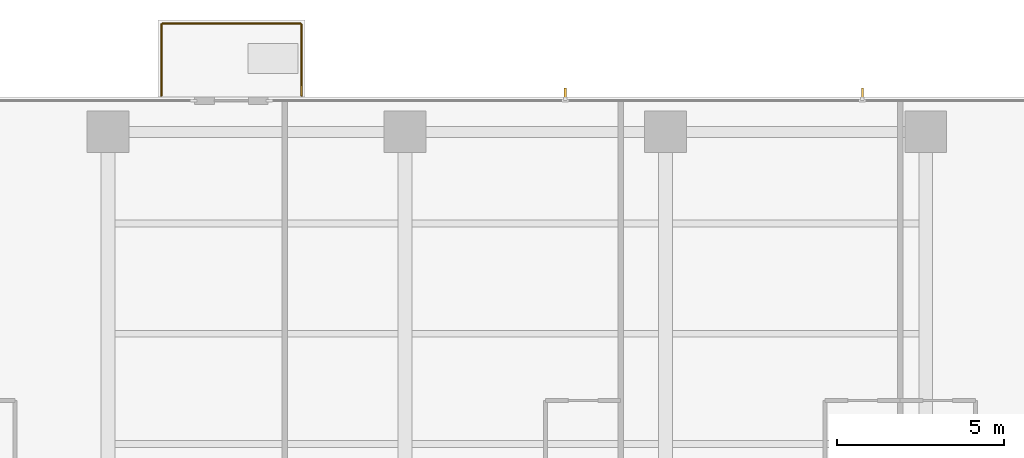
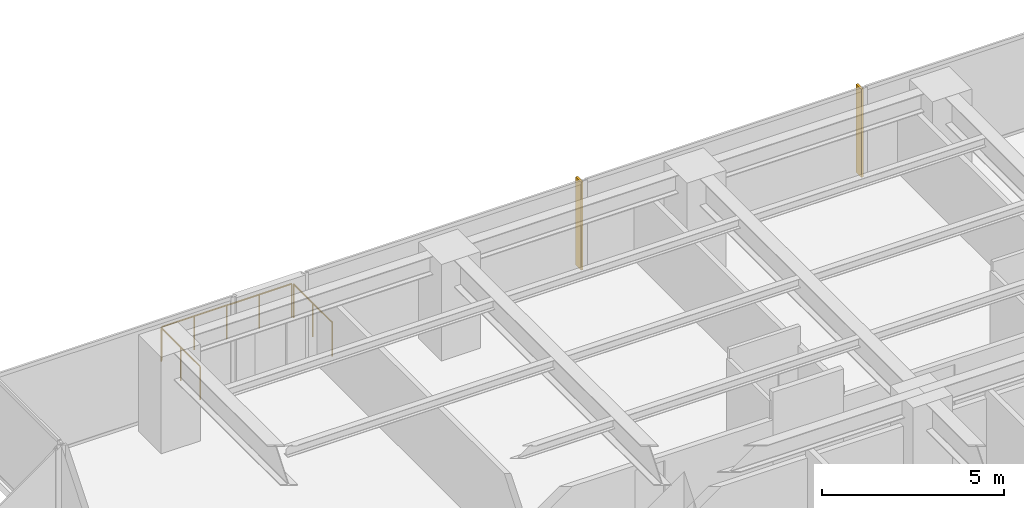
# One storey, part 18 of 18: 3 railings, 2 shading devices.
"""IFC4 building model written with IfcOpenShell, lengths in metres."""

from ifc_helpers import new_model, si_unit, direction, frame, origin, origin_2d, place, context, subcontext, project, spatial, polyline, circle, outline, extrude, material, layer, layer_set, type_object, element, save


model = new_model("IFC4")

# Units and contexts
model_context = context("Model", 3, precision=1e-05, world=origin(), true_north=direction((0.0, 1.0)))
body_context = subcontext(model_context, "Body", "Model", "MODEL_VIEW")
ifc_project = project(units=[si_unit("LENGTHUNIT", "METRE"), si_unit("AREAUNIT", "SQUARE_METRE"), si_unit("VOLUMEUNIT", "CUBIC_METRE"), si_unit("PLANEANGLEUNIT", "RADIAN"), si_unit("MASSUNIT", "GRAM", prefix="KILO")], contexts=[model_context])

# Site, building, storey
site_placement = place(None, origin())
site = spatial("IfcSite", under=ifc_project, at=site_placement, CompositionType="ELEMENT")
building_placement = place(site_placement, origin())
building = spatial("IfcBuilding", under=site, at=building_placement, Name="Qalmaran Belvedere Hotel", CompositionType="ELEMENT")
storey_placement = place(building_placement, frame((0.0, 0.0, 95.199951171875)))
storey = spatial("IfcBuildingStorey", under=building, at=storey_placement, Name="L23", CompositionType="ELEMENT", Elevation=95.199951171875)

# Shading devices
ifc_material = material(Name="Anodised Bronze Aluminium", Category="aluminium")
ifc_layer = layer(ifc_material, 0.06494140625, Name="Anodised Bronze Aluminium")
ifc_layer_set = layer_set([ifc_layer], Name="Anodised Bronze Aluminium")
shading_device_type = type_object("IfcShadingDeviceType", Name="FIN-BRNZ-300", PredefinedType="USERDEFINED", material=ifc_layer_set)
shading_device_1_placement = place(storey_placement, frame((0.0, 0.0, 0.16015625)))
element("IfcShadingDevice", 1, at=shading_device_1_placement, inside=storey, type_object=shading_device_type, Name="L23 Bronze Fin 1", ObjectType="FIN", PredefinedType="USERDEFINED", context=body_context, shape_type="SweptSolid", body=[
    extrude(outline(polyline([(42.9326171875, 46.469970703125), (42.9326171875, 46.77001953125), (42.867431640625, 46.77001953125), (42.867431640625, 46.469970703125), (42.9326171875, 46.469970703125)])), origin(), (0.0, 0.0, 1.0), 2.9599609375),
])
shading_device_2_placement = place(storey_placement, frame((0.0, 0.0, 0.16015625)))
element("IfcShadingDevice", 2, at=shading_device_2_placement, inside=storey, type_object=shading_device_type, Name="L23 Bronze Fin 2", ObjectType="FIN", PredefinedType="USERDEFINED", context=body_context, shape_type="SweptSolid", body=[
    extrude(outline(polyline([(34.032470703125, 46.469970703125), (34.032470703125, 46.77001953125), (33.967529296875, 46.77001953125), (33.967529296875, 46.469970703125), (34.032470703125, 46.469970703125)])), origin(), (0.0, 0.0, 1.0), 2.9599609375),
])

# Railings
railing_type = type_object("IfcRailingType", Name="GRD-BAL-1150", PredefinedType="BALUSTRADE", material=ifc_material)
railing_1_placement = place(storey_placement, frame((21.89990234375, 46.534912109375, 0.0)))
element("IfcRailing", 3, at=railing_1_placement, inside=storey, type_object=railing_type, Name="L23 Guardrail BAL-L23-N-1", PredefinedType="BALUSTRADE", context=body_context, shape_type="SweptSolid", body=[
    extrude(circle(Radius=0.02392578125, at=origin_2d()), frame((0.0, 0.0, 1.1259765625), z_axis=(0.0, 1.0, 0.0), x_axis=(-1.0, 0.0, 0.0)), (0.0, 0.0, 1.0), 2.130126953125),
    extrude(circle(Radius=0.02099609375, at=origin_2d()), origin(), (0.0, 0.0, 1.0), 1.101806640625),
    extrude(circle(Radius=0.02099609375, at=origin_2d()), frame((0.0, 1.06494140625, 0.0)), (0.0, 0.0, 1.0), 1.101806640625),
    extrude(circle(Radius=0.02099609375, at=origin_2d()), frame((0.0, 2.130126953125, 0.0)), (0.0, 0.0, 1.0), 1.101806640625),
])
railing_2_placement = place(storey_placement, frame((21.93505859375, 48.699951171875, 0.0)))
element("IfcRailing", 4, at=railing_2_placement, inside=storey, type_object=railing_type, Name="L23 Guardrail BAL-L23-N-2", PredefinedType="BALUSTRADE", context=body_context, shape_type="SweptSolid", body=[
    extrude(circle(Radius=0.02392578125, at=origin_2d()), frame((0.0, 0.0, 1.1259765625), z_axis=(1.0, 0.0, 0.0), x_axis=(0.0, 1.0, 0.0)), (0.0, 0.0, 1.0), 4.1298828125),
    extrude(circle(Radius=0.02099609375, at=origin_2d()), origin(), (0.0, 0.0, 1.0), 1.101806640625),
    extrude(circle(Radius=0.02099609375, at=origin_2d()), frame((1.032470703125, 0.0, 0.0)), (0.0, 0.0, 1.0), 1.101806640625),
    extrude(circle(Radius=0.02099609375, at=origin_2d()), frame((2.06494140625, 0.0, 0.0)), (0.0, 0.0, 1.0), 1.101806640625),
    extrude(circle(Radius=0.02099609375, at=origin_2d()), frame((3.097412109375, 0.0, 0.0)), (0.0, 0.0, 1.0), 1.101806640625),
    extrude(circle(Radius=0.02099609375, at=origin_2d()), frame((4.1298828125, 0.0, 0.0)), (0.0, 0.0, 1.0), 1.101806640625),
])
railing_3_placement = place(storey_placement, frame((26.10009765625, 48.6650390625, 0.0)))
element("IfcRailing", 5, at=railing_3_placement, inside=storey, type_object=railing_type, Name="L23 Guardrail BAL-L23-N-3", PredefinedType="BALUSTRADE", context=body_context, shape_type="SweptSolid", body=[
    extrude(circle(Radius=0.02392578125, at=origin_2d()), frame((0.0, 0.0, 1.1259765625), z_axis=(0.0, -1.0, 0.0), x_axis=(1.0, 0.0, 0.0)), (0.0, 0.0, 1.0), 2.130126953125),
    extrude(circle(Radius=0.02099609375, at=origin_2d()), origin(), (0.0, 0.0, 1.0), 1.101806640625),
    extrude(circle(Radius=0.02099609375, at=origin_2d()), frame((0.0, -1.06494140625, 0.0)), (0.0, 0.0, 1.0), 1.101806640625),
    extrude(circle(Radius=0.02099609375, at=origin_2d()), frame((0.0, -2.130126953125, 0.0)), (0.0, 0.0, 1.0), 1.101806640625),
])

save(model, "model.ifc")
